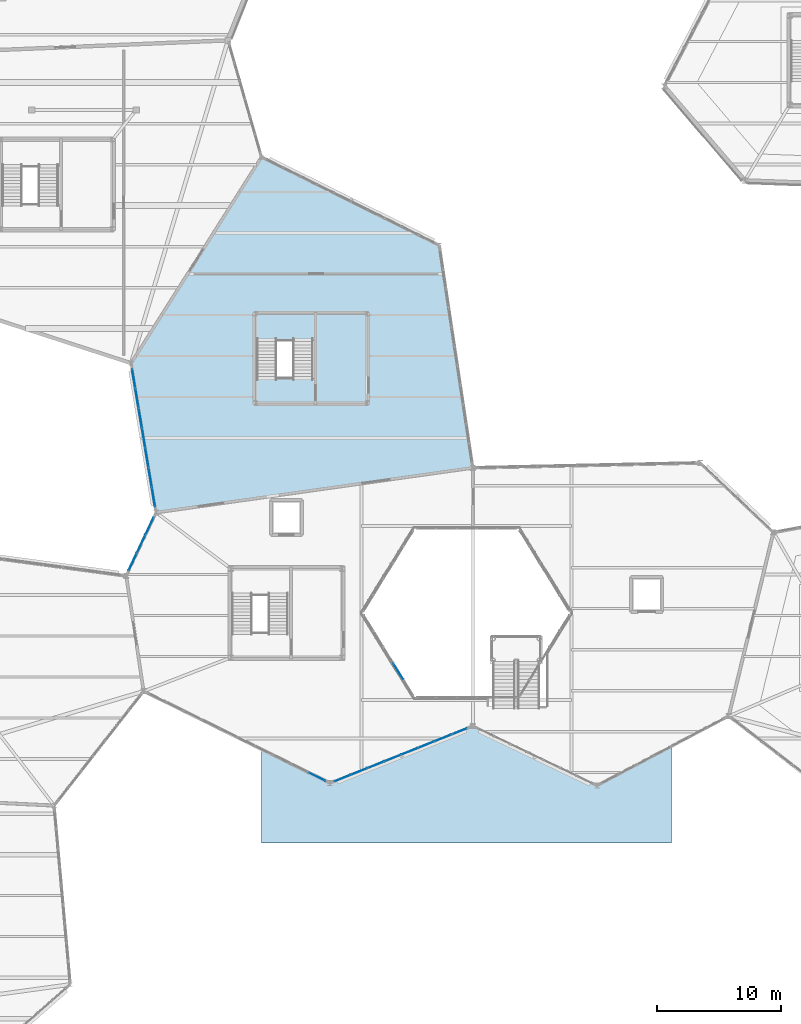
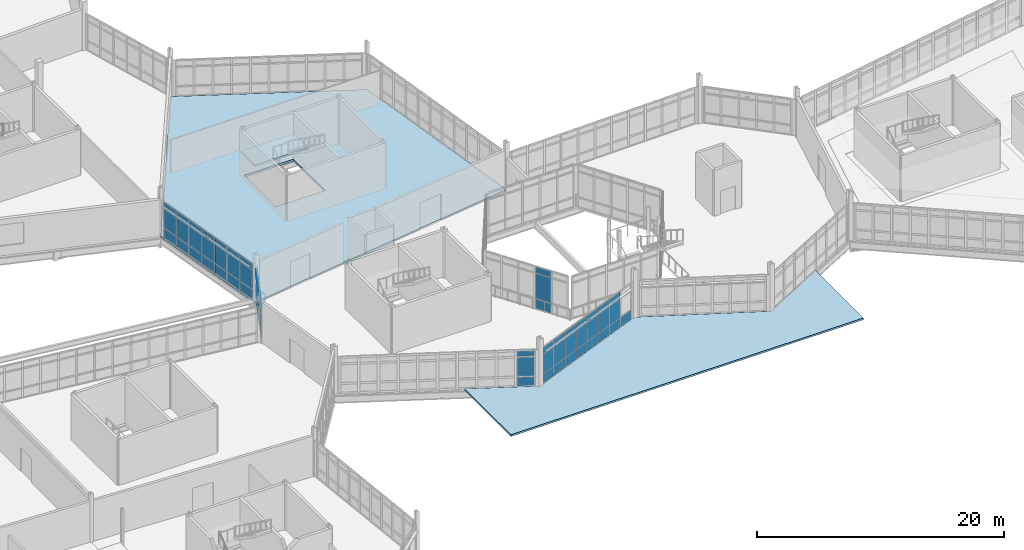
# One storey, part 85 of 134: 58 plates, 3 slabs, 6 elements without a shape of their own.
"""IFC4 building model written with IfcOpenShell, lengths in metres."""

from ifc_helpers import new_model, si_unit, direction, frame, origin, origin_2d, place, context, subcontext, project, spatial, polyline, rectangle, outline, extrude, material, layer, layer_set, type_object, element, aggregate, save


model = new_model("IFC4")

# Units and contexts
model_context = context("Model", 3, precision=1e-05, world=origin(), true_north=direction((0.0, 1.0)))
body_context = subcontext(model_context, "Body", "Model", "MODEL_VIEW")
ifc_project = project(units=[si_unit("LENGTHUNIT", "METRE"), si_unit("AREAUNIT", "SQUARE_METRE"), si_unit("VOLUMEUNIT", "CUBIC_METRE"), si_unit("PLANEANGLEUNIT", "RADIAN"), si_unit("MASSUNIT", "GRAM", prefix="KILO")], contexts=[model_context])

# Site, building, storey
site_placement = place(None, origin())
site = spatial("IfcSite", under=ifc_project, at=site_placement, CompositionType="ELEMENT")
building_placement = place(site_placement, origin())
building = spatial("IfcBuilding", under=site, at=building_placement, Name="Tameran Prism Museum", CompositionType="ELEMENT")
storey_placement = place(building_placement, frame((0.0, 0.0, 5.39990234375)))
storey = spatial("IfcBuildingStorey", under=building, at=storey_placement, Name="L01", CompositionType="ELEMENT", Elevation=5.39990234375)

# Curtain wall, plates
ifc_material_1 = material(Name="Anodised Aluminium 6063-T6 and Cyclone Solar Glass", Category="aluminium")
curtain_wall_type_1 = type_object("IfcCurtainWallType", Name="CW-ATR-769x424", PredefinedType="USERDEFINED", material=ifc_material_1)
curtain_wall_1_placement = place(storey_placement, origin())
curtain_wall_1 = element("IfcCurtainWall", 1, at=curtain_wall_1_placement, inside=storey, type_object=curtain_wall_type_1, Name="Unitised Curtain Wall CW-001", ObjectType="UNITISED CURTAIN WALL", PredefinedType="USERDEFINED")
ifc_material_2 = material(Name="Low-E Laminated Solar Glass", Category="glass")
ifc_layer_1 = layer(ifc_material_2, 0.028076171875)
ifc_layer_set_1 = layer_set([ifc_layer_1])
plate_type_1 = type_object("IfcPlateType", Name="CW-PNL-G28", PredefinedType="CURTAIN_PANEL", material=ifc_layer_set_1)
plate_1_placement = place(storey_placement, frame((71.50830078125, 31.791259765625, 0.06494140625), z_axis=(0.0, 0.0, 1.0), x_axis=(0.525503952357, -0.850791158897, 0.0)))
plate_1 = element("IfcPlate", 2, at=plate_1_placement, type_object=plate_type_1, Name="CW-001 panel 4.1", PredefinedType="CURTAIN_PANEL", context=body_context, shape_type="SweptSolid", body=[
    extrude(rectangle(XDim=1.473388671875, YDim=0.028076171875, at=origin_2d()), origin(), (0.0, 0.0, 1.0), 0.902587890625),
])
plate_2_placement = place(storey_placement, frame((71.50830078125, 31.791259765625, 1.032470703125), z_axis=(0.0, 0.0, 1.0), x_axis=(0.525503952357, -0.850791158897, 0.0)))
plate_2 = element("IfcPlate", 3, at=plate_2_placement, type_object=plate_type_1, Name="CW-001 panel 4.2", PredefinedType="CURTAIN_PANEL", context=body_context, shape_type="SweptSolid", body=[
    extrude(rectangle(XDim=1.473388671875, YDim=0.028076171875, at=origin_2d()), origin(), (0.0, 0.0, 1.0), 2.4951171875),
])
plate_3_placement = place(storey_placement, frame((71.50830078125, 31.791259765625, 3.592529296875), z_axis=(0.0, 0.0, 1.0), x_axis=(0.525503952357, -0.850791158897, 0.0)))
plate_3 = element("IfcPlate", 4, at=plate_3_placement, type_object=plate_type_1, Name="CW-001 panel 4.3", PredefinedType="CURTAIN_PANEL", context=body_context, shape_type="SweptSolid", body=[
    extrude(rectangle(XDim=1.473388671875, YDim=0.028076171875, at=origin_2d()), origin(), (0.0, 0.0, 1.0), 0.58251953125),
])
aggregate(curtain_wall_1, [plate_1, plate_2, plate_3])

ifc_material_3 = material(Name="Anodised Aluminium 6063-T6 and Cyclone Solar Glass", Category="aluminium")
curtain_wall_type_2 = type_object("IfcCurtainWallType", Name="CW-FAC-1163x362", PredefinedType="USERDEFINED", material=ifc_material_3)
curtain_wall_2_placement = place(storey_placement, origin())
curtain_wall_2 = element("IfcCurtainWall", 5, at=curtain_wall_2_placement, inside=storey, type_object=curtain_wall_type_2, Name="Unitised Curtain Wall CW-063", ObjectType="UNITISED CURTAIN WALL", PredefinedType="USERDEFINED")
plate_4_placement = place(storey_placement, frame((76.42919921875, 26.97216796875, 0.06494140625), z_axis=(0.0, 0.0, 1.0), x_axis=(-0.928464826032, -0.371420337114, 0.0)))
plate_4 = element("IfcPlate", 6, at=plate_4_placement, type_object=plate_type_1, Name="CW-063 panel 1.1", PredefinedType="CURTAIN_PANEL", context=body_context, shape_type="SweptSolid", body=[
    extrude(rectangle(XDim=1.355712890625, YDim=0.028076171875, at=origin_2d()), origin(), (0.0, 0.0, 1.0), 0.902587890625),
])
plate_5_placement = place(storey_placement, frame((75.09521484375, 26.4384765625, 0.06494140625), z_axis=(0.0, 0.0, 1.0), x_axis=(-0.928464826032, -0.371420337114, 0.0)))
plate_5 = element("IfcPlate", 7, at=plate_5_placement, type_object=plate_type_1, Name="CW-063 panel 2.1", PredefinedType="CURTAIN_PANEL", context=body_context, shape_type="SweptSolid", body=[
    extrude(rectangle(XDim=1.38818359375, YDim=0.028076171875, at=origin_2d()), origin(), (0.0, 0.0, 1.0), 0.902587890625),
])
plate_6_placement = place(storey_placement, frame((75.09521484375, 26.4384765625, 1.03271484375), z_axis=(0.0, 0.0, 1.0), x_axis=(-0.928464826032, -0.371420337114, 0.0)))
plate_6 = element("IfcPlate", 8, at=plate_6_placement, type_object=plate_type_1, Name="CW-063 panel 2.2", PredefinedType="CURTAIN_PANEL", context=body_context, shape_type="SweptSolid", body=[
    extrude(rectangle(XDim=1.38818359375, YDim=0.028076171875, at=origin_2d()), origin(), (0.0, 0.0, 1.0), 1.875),
])
plate_7_placement = place(storey_placement, frame((75.09521484375, 26.4384765625, 2.97265625), z_axis=(0.0, 0.0, 1.0), x_axis=(-0.928464826032, -0.371420337114, 0.0)))
plate_7 = element("IfcPlate", 9, at=plate_7_placement, type_object=plate_type_1, Name="CW-063 panel 2.3", PredefinedType="CURTAIN_PANEL", context=body_context, shape_type="SweptSolid", body=[
    extrude(rectangle(XDim=1.38818359375, YDim=0.028076171875, at=origin_2d()), origin(), (0.0, 0.0, 1.0), 0.58251953125),
])
plate_8_placement = place(storey_placement, frame((73.745849609375, 25.898681640625, 0.06494140625), z_axis=(0.0, 0.0, 1.0), x_axis=(-0.928464826032, -0.371420337114, 0.0)))
plate_8 = element("IfcPlate", 10, at=plate_8_placement, type_object=plate_type_1, Name="CW-063 panel 3.1", PredefinedType="CURTAIN_PANEL", context=body_context, shape_type="SweptSolid", body=[
    extrude(rectangle(XDim=1.38818359375, YDim=0.028076171875, at=origin_2d()), origin(), (0.0, 0.0, 1.0), 0.902587890625),
])
plate_9_placement = place(storey_placement, frame((73.745849609375, 25.898681640625, 1.03271484375), z_axis=(0.0, 0.0, 1.0), x_axis=(-0.928464826032, -0.371420337114, 0.0)))
plate_9 = element("IfcPlate", 11, at=plate_9_placement, type_object=plate_type_1, Name="CW-063 panel 3.2", PredefinedType="CURTAIN_PANEL", context=body_context, shape_type="SweptSolid", body=[
    extrude(rectangle(XDim=1.38818359375, YDim=0.028076171875, at=origin_2d()), origin(), (0.0, 0.0, 1.0), 1.875),
])
plate_10_placement = place(storey_placement, frame((73.745849609375, 25.898681640625, 2.97265625), z_axis=(0.0, 0.0, 1.0), x_axis=(-0.928464826032, -0.371420337114, 0.0)))
plate_10 = element("IfcPlate", 12, at=plate_10_placement, type_object=plate_type_1, Name="CW-063 panel 3.3", PredefinedType="CURTAIN_PANEL", context=body_context, shape_type="SweptSolid", body=[
    extrude(rectangle(XDim=1.38818359375, YDim=0.028076171875, at=origin_2d()), origin(), (0.0, 0.0, 1.0), 0.58251953125),
])
plate_11_placement = place(storey_placement, frame((72.396728515625, 25.35888671875, 0.06494140625), z_axis=(0.0, 0.0, 1.0), x_axis=(-0.928464826032, -0.371420337114, 0.0)))
plate_11 = element("IfcPlate", 13, at=plate_11_placement, type_object=plate_type_1, Name="CW-063 panel 4.1", PredefinedType="CURTAIN_PANEL", context=body_context, shape_type="SweptSolid", body=[
    extrude(rectangle(XDim=1.38818359375, YDim=0.028076171875, at=origin_2d()), origin(), (0.0, 0.0, 1.0), 0.902587890625),
])
plate_12_placement = place(storey_placement, frame((72.396728515625, 25.35888671875, 1.03271484375), z_axis=(0.0, 0.0, 1.0), x_axis=(-0.928464826032, -0.371420337114, 0.0)))
plate_12 = element("IfcPlate", 14, at=plate_12_placement, type_object=plate_type_1, Name="CW-063 panel 4.2", PredefinedType="CURTAIN_PANEL", context=body_context, shape_type="SweptSolid", body=[
    extrude(rectangle(XDim=1.38818359375, YDim=0.028076171875, at=origin_2d()), origin(), (0.0, 0.0, 1.0), 1.875),
])
plate_13_placement = place(storey_placement, frame((72.396728515625, 25.35888671875, 2.97265625), z_axis=(0.0, 0.0, 1.0), x_axis=(-0.928464826032, -0.371420337114, 0.0)))
plate_13 = element("IfcPlate", 15, at=plate_13_placement, type_object=plate_type_1, Name="CW-063 panel 4.3", PredefinedType="CURTAIN_PANEL", context=body_context, shape_type="SweptSolid", body=[
    extrude(rectangle(XDim=1.38818359375, YDim=0.028076171875, at=origin_2d()), origin(), (0.0, 0.0, 1.0), 0.58251953125),
])
plate_14_placement = place(storey_placement, frame((71.04736328125, 24.819091796875, 0.06494140625), z_axis=(0.0, 0.0, 1.0), x_axis=(-0.928464826032, -0.371420337114, 0.0)))
plate_14 = element("IfcPlate", 16, at=plate_14_placement, type_object=plate_type_1, Name="CW-063 panel 5.1", PredefinedType="CURTAIN_PANEL", context=body_context, shape_type="SweptSolid", body=[
    extrude(rectangle(XDim=1.38818359375, YDim=0.028076171875, at=origin_2d()), origin(), (0.0, 0.0, 1.0), 0.902587890625),
])
plate_15_placement = place(storey_placement, frame((71.04736328125, 24.819091796875, 1.03271484375), z_axis=(0.0, 0.0, 1.0), x_axis=(-0.928464826032, -0.371420337114, 0.0)))
plate_15 = element("IfcPlate", 17, at=plate_15_placement, type_object=plate_type_1, Name="CW-063 panel 5.2", PredefinedType="CURTAIN_PANEL", context=body_context, shape_type="SweptSolid", body=[
    extrude(rectangle(XDim=1.38818359375, YDim=0.028076171875, at=origin_2d()), origin(), (0.0, 0.0, 1.0), 1.875),
])
plate_16_placement = place(storey_placement, frame((71.04736328125, 24.819091796875, 2.97265625), z_axis=(0.0, 0.0, 1.0), x_axis=(-0.928464826032, -0.371420337114, 0.0)))
plate_16 = element("IfcPlate", 18, at=plate_16_placement, type_object=plate_type_1, Name="CW-063 panel 5.3", PredefinedType="CURTAIN_PANEL", context=body_context, shape_type="SweptSolid", body=[
    extrude(rectangle(XDim=1.38818359375, YDim=0.028076171875, at=origin_2d()), origin(), (0.0, 0.0, 1.0), 0.58251953125),
])
plate_17_placement = place(storey_placement, frame((69.6982421875, 24.279296875, 0.06494140625), z_axis=(0.0, 0.0, 1.0), x_axis=(-0.928464826032, -0.371420337114, 0.0)))
plate_17 = element("IfcPlate", 19, at=plate_17_placement, type_object=plate_type_1, Name="CW-063 panel 6.1", PredefinedType="CURTAIN_PANEL", context=body_context, shape_type="SweptSolid", body=[
    extrude(rectangle(XDim=1.38818359375, YDim=0.028076171875, at=origin_2d()), origin(), (0.0, 0.0, 1.0), 0.902587890625),
])
plate_18_placement = place(storey_placement, frame((69.6982421875, 24.279296875, 1.03271484375), z_axis=(0.0, 0.0, 1.0), x_axis=(-0.928464826032, -0.371420337114, 0.0)))
plate_18 = element("IfcPlate", 20, at=plate_18_placement, type_object=plate_type_1, Name="CW-063 panel 6.2", PredefinedType="CURTAIN_PANEL", context=body_context, shape_type="SweptSolid", body=[
    extrude(rectangle(XDim=1.38818359375, YDim=0.028076171875, at=origin_2d()), origin(), (0.0, 0.0, 1.0), 1.875),
])
plate_19_placement = place(storey_placement, frame((69.6982421875, 24.279296875, 2.97265625), z_axis=(0.0, 0.0, 1.0), x_axis=(-0.928464826032, -0.371420337114, 0.0)))
plate_19 = element("IfcPlate", 21, at=plate_19_placement, type_object=plate_type_1, Name="CW-063 panel 6.3", PredefinedType="CURTAIN_PANEL", context=body_context, shape_type="SweptSolid", body=[
    extrude(rectangle(XDim=1.38818359375, YDim=0.028076171875, at=origin_2d()), origin(), (0.0, 0.0, 1.0), 0.58251953125),
])
plate_20_placement = place(storey_placement, frame((68.348876953125, 23.73974609375, 0.06494140625), z_axis=(0.0, 0.0, 1.0), x_axis=(-0.928464826032, -0.371420337114, 0.0)))
plate_20 = element("IfcPlate", 22, at=plate_20_placement, type_object=plate_type_1, Name="CW-063 panel 7.1", PredefinedType="CURTAIN_PANEL", context=body_context, shape_type="SweptSolid", body=[
    extrude(rectangle(XDim=1.38818359375, YDim=0.028076171875, at=origin_2d()), origin(), (0.0, 0.0, 1.0), 0.902587890625),
])
plate_21_placement = place(storey_placement, frame((68.348876953125, 23.73974609375, 1.03271484375), z_axis=(0.0, 0.0, 1.0), x_axis=(-0.928464826032, -0.371420337114, 0.0)))
plate_21 = element("IfcPlate", 23, at=plate_21_placement, type_object=plate_type_1, Name="CW-063 panel 7.2", PredefinedType="CURTAIN_PANEL", context=body_context, shape_type="SweptSolid", body=[
    extrude(rectangle(XDim=1.38818359375, YDim=0.028076171875, at=origin_2d()), origin(), (0.0, 0.0, 1.0), 1.875),
])
plate_22_placement = place(storey_placement, frame((68.348876953125, 23.73974609375, 2.97265625), z_axis=(0.0, 0.0, 1.0), x_axis=(-0.928464826032, -0.371420337114, 0.0)))
plate_22 = element("IfcPlate", 24, at=plate_22_placement, type_object=plate_type_1, Name="CW-063 panel 7.3", PredefinedType="CURTAIN_PANEL", context=body_context, shape_type="SweptSolid", body=[
    extrude(rectangle(XDim=1.38818359375, YDim=0.028076171875, at=origin_2d()), origin(), (0.0, 0.0, 1.0), 0.58251953125),
])
plate_23_placement = place(storey_placement, frame((67.0146484375, 23.205810546875, 0.06494140625), z_axis=(0.0, 0.0, 1.0), x_axis=(-0.928464826032, -0.371420337114, 0.0)))
plate_23 = element("IfcPlate", 25, at=plate_23_placement, type_object=plate_type_1, Name="CW-063 panel 8.1", PredefinedType="CURTAIN_PANEL", context=body_context, shape_type="SweptSolid", body=[
    extrude(rectangle(XDim=1.355712890625, YDim=0.028076171875, at=origin_2d()), origin(), (0.0, 0.0, 1.0), 0.902587890625),
])
plate_24_placement = place(storey_placement, frame((67.0146484375, 23.205810546875, 1.03271484375), z_axis=(0.0, 0.0, 1.0), x_axis=(-0.928464826032, -0.371420337114, 0.0)))
plate_24 = element("IfcPlate", 26, at=plate_24_placement, type_object=plate_type_1, Name="CW-063 panel 8.2", PredefinedType="CURTAIN_PANEL", context=body_context, shape_type="SweptSolid", body=[
    extrude(rectangle(XDim=1.355712890625, YDim=0.028076171875, at=origin_2d()), origin(), (0.0, 0.0, 1.0), 1.875),
])
plate_25_placement = place(storey_placement, frame((67.0146484375, 23.205810546875, 2.97265625), z_axis=(0.0, 0.0, 1.0), x_axis=(-0.928464826032, -0.371420337114, 0.0)))
plate_25 = element("IfcPlate", 27, at=plate_25_placement, type_object=plate_type_1, Name="CW-063 panel 8.3", PredefinedType="CURTAIN_PANEL", context=body_context, shape_type="SweptSolid", body=[
    extrude(rectangle(XDim=1.355712890625, YDim=0.028076171875, at=origin_2d()), origin(), (0.0, 0.0, 1.0), 0.58251953125),
])
aggregate(curtain_wall_2, [plate_4, plate_5, plate_6, plate_7, plate_8, plate_9, plate_10, plate_11, plate_12, plate_13, plate_14, plate_15, plate_16, plate_17, plate_18, plate_19, plate_20, plate_21, plate_22, plate_23, plate_24, plate_25])

ifc_material_4 = material(Name="Anodised Aluminium 6063-T6 and Cyclone Solar Glass", Category="aluminium")
curtain_wall_type_3 = type_object("IfcCurtainWallType", Name="CW-FAC-1597x362", PredefinedType="USERDEFINED", material=ifc_material_4)
curtain_wall_3_placement = place(storey_placement, origin())
curtain_wall_3 = element("IfcCurtainWall", 28, at=curtain_wall_3_placement, inside=storey, type_object=curtain_wall_type_3, Name="Unitised Curtain Wall CW-062", ObjectType="UNITISED CURTAIN WALL", PredefinedType="USERDEFINED")
ifc_material_5 = material(Name="Cyclone Laminated Solar Glass", Category="glass")
ifc_layer_2 = layer(ifc_material_5, 0.031982421875)
ifc_layer_set_2 = layer_set([ifc_layer_2])
plate_type_2 = type_object("IfcPlateType", Name="CW-PNL-G32", PredefinedType="CURTAIN_PANEL", material=ifc_layer_set_2)
plate_26_placement = place(storey_placement, frame((64.9521484375, 23.31689453125, 0.080078125), z_axis=(0.0, 0.0, 1.0), x_axis=(-0.896819470069, 0.442396697666, 0.0)))
plate_26 = element("IfcPlate", 29, at=plate_26_placement, type_object=plate_type_2, Name="CW-062 panel 1.1", PredefinedType="CURTAIN_PANEL", context=body_context, shape_type="SweptSolid", body=[
    extrude(rectangle(XDim=1.4765625, YDim=0.031982421875, at=origin_2d()), origin(), (0.0, 0.0, 1.0), 0.8798828125),
])
plate_27_placement = place(storey_placement, frame((64.9521484375, 23.31689453125, 1.0400390625), z_axis=(0.0, 0.0, 1.0), x_axis=(-0.896819470069, 0.442396697666, 0.0)))
plate_27 = element("IfcPlate", 30, at=plate_27_placement, type_object=plate_type_2, Name="CW-062 panel 1.2", PredefinedType="CURTAIN_PANEL", context=body_context, shape_type="SweptSolid", body=[
    extrude(rectangle(XDim=1.4765625, YDim=0.031982421875, at=origin_2d()), origin(), (0.0, 0.0, 1.0), 1.860107421875),
])
plate_28_placement = place(storey_placement, frame((64.9521484375, 23.31689453125, 2.97998046875), z_axis=(0.0, 0.0, 1.0), x_axis=(-0.896819470069, 0.442396697666, 0.0)))
plate_28 = element("IfcPlate", 31, at=plate_28_placement, type_object=plate_type_2, Name="CW-062 panel 1.3", PredefinedType="CURTAIN_PANEL", context=body_context, shape_type="SweptSolid", body=[
    extrude(rectangle(XDim=1.4765625, YDim=0.031982421875, at=origin_2d()), origin(), (0.0, 0.0, 1.0), 0.56005859375),
])
aggregate(curtain_wall_3, [plate_26, plate_27, plate_28])

ifc_material_6 = material(Name="Anodised Aluminium 6063-T6 and Cyclone Solar Glass", Category="aluminium")
curtain_wall_type_4 = type_object("IfcCurtainWallType", Name="CW-FAC-482x362", PredefinedType="USERDEFINED", material=ifc_material_6)
curtain_wall_4_placement = place(storey_placement, origin())
curtain_wall_4 = element("IfcCurtainWall", 32, at=curtain_wall_4_placement, inside=storey, type_object=curtain_wall_type_4, Name="Unitised Curtain Wall CW-064", ObjectType="UNITISED CURTAIN WALL", PredefinedType="USERDEFINED")
plate_29_placement = place(storey_placement, frame((50.1240234375, 40.61328125, 0.070068359375), z_axis=(0.0, 0.0, 1.0), x_axis=(0.42565703763, 0.904884570714, 0.0)))
plate_29 = element("IfcPlate", 33, at=plate_29_placement, type_object=plate_type_2, Name="CW-064 panel 1.1", PredefinedType="CURTAIN_PANEL", context=body_context, shape_type="SweptSolid", body=[
    extrude(rectangle(XDim=1.500244140625, YDim=0.031982421875, at=origin_2d()), origin(), (0.0, 0.0, 1.0), 0.89501953125),
])
plate_30_placement = place(storey_placement, frame((50.1240234375, 40.61328125, 1.03515625), z_axis=(0.0, 0.0, 1.0), x_axis=(0.42565703763, 0.904884570714, 0.0)))
plate_30 = element("IfcPlate", 34, at=plate_30_placement, type_object=plate_type_2, Name="CW-064 panel 1.2", PredefinedType="CURTAIN_PANEL", context=body_context, shape_type="SweptSolid", body=[
    extrude(rectangle(XDim=1.500244140625, YDim=0.031982421875, at=origin_2d()), origin(), (0.0, 0.0, 1.0), 1.8701171875),
])
plate_31_placement = place(storey_placement, frame((50.1240234375, 40.61328125, 2.97509765625), z_axis=(0.0, 0.0, 1.0), x_axis=(0.42565703763, 0.904884570714, 0.0)))
plate_31 = element("IfcPlate", 35, at=plate_31_placement, type_object=plate_type_2, Name="CW-064 panel 1.3", PredefinedType="CURTAIN_PANEL", context=body_context, shape_type="SweptSolid", body=[
    extrude(rectangle(XDim=1.500244140625, YDim=0.031982421875, at=origin_2d()), origin(), (0.0, 0.0, 1.0), 0.574951171875),
])
plate_32_placement = place(storey_placement, frame((50.800048828125, 42.050048828125, 0.070068359375), z_axis=(0.0, 0.0, 1.0), x_axis=(0.42565703763, 0.904884570714, 0.0)))
plate_32 = element("IfcPlate", 36, at=plate_32_placement, type_object=plate_type_2, Name="CW-064 panel 2.1", PredefinedType="CURTAIN_PANEL", context=body_context, shape_type="SweptSolid", body=[
    extrude(rectangle(XDim=1.535400390625, YDim=0.031982421875, at=origin_2d()), origin(), (0.0, 0.0, 1.0), 0.89501953125),
])
plate_33_placement = place(storey_placement, frame((50.800048828125, 42.050048828125, 1.03515625), z_axis=(0.0, 0.0, 1.0), x_axis=(0.42565703763, 0.904884570714, 0.0)))
plate_33 = element("IfcPlate", 37, at=plate_33_placement, type_object=plate_type_2, Name="CW-064 panel 2.2", PredefinedType="CURTAIN_PANEL", context=body_context, shape_type="SweptSolid", body=[
    extrude(rectangle(XDim=1.535400390625, YDim=0.031982421875, at=origin_2d()), origin(), (0.0, 0.0, 1.0), 1.8701171875),
])
plate_34_placement = place(storey_placement, frame((50.800048828125, 42.050048828125, 2.97509765625), z_axis=(0.0, 0.0, 1.0), x_axis=(0.42565703763, 0.904884570714, 0.0)))
plate_34 = element("IfcPlate", 38, at=plate_34_placement, type_object=plate_type_2, Name="CW-064 panel 2.3", PredefinedType="CURTAIN_PANEL", context=body_context, shape_type="SweptSolid", body=[
    extrude(rectangle(XDim=1.535400390625, YDim=0.031982421875, at=origin_2d()), origin(), (0.0, 0.0, 1.0), 0.574951171875),
])
plate_35_placement = place(storey_placement, frame((51.475830078125, 43.48681640625, 0.070068359375), z_axis=(0.0, 0.0, 1.0), x_axis=(0.42565703763, 0.904884570714, 0.0)))
plate_35 = element("IfcPlate", 39, at=plate_35_placement, type_object=plate_type_2, Name="CW-064 panel 3.1", PredefinedType="CURTAIN_PANEL", context=body_context, shape_type="SweptSolid", body=[
    extrude(rectangle(XDim=1.500244140625, YDim=0.031982421875, at=origin_2d()), origin(), (0.0, 0.0, 1.0), 0.89501953125),
])
plate_36_placement = place(storey_placement, frame((51.475830078125, 43.48681640625, 1.03515625), z_axis=(0.0, 0.0, 1.0), x_axis=(0.42565703763, 0.904884570714, 0.0)))
plate_36 = element("IfcPlate", 40, at=plate_36_placement, type_object=plate_type_2, Name="CW-064 panel 3.2", PredefinedType="CURTAIN_PANEL", context=body_context, shape_type="SweptSolid", body=[
    extrude(rectangle(XDim=1.500244140625, YDim=0.031982421875, at=origin_2d()), origin(), (0.0, 0.0, 1.0), 1.8701171875),
])
plate_37_placement = place(storey_placement, frame((51.475830078125, 43.48681640625, 2.97509765625), z_axis=(0.0, 0.0, 1.0), x_axis=(0.42565703763, 0.904884570714, 0.0)))
plate_37 = element("IfcPlate", 41, at=plate_37_placement, type_object=plate_type_2, Name="CW-064 panel 3.3", PredefinedType="CURTAIN_PANEL", context=body_context, shape_type="SweptSolid", body=[
    extrude(rectangle(XDim=1.500244140625, YDim=0.031982421875, at=origin_2d()), origin(), (0.0, 0.0, 1.0), 0.574951171875),
])
aggregate(curtain_wall_4, [plate_29, plate_30, plate_31, plate_32, plate_33, plate_34, plate_35, plate_36, plate_37])

ifc_material_7 = material(Name="Anodised Aluminium 6063-T6 and Cyclone Solar Glass", Category="aluminium")
curtain_wall_type_5 = type_object("IfcCurtainWallType", Name="CW-FAC-1135x362", PredefinedType="USERDEFINED", material=ifc_material_7)
curtain_wall_5_placement = place(storey_placement, origin())
curtain_wall_5 = element("IfcCurtainWall", 42, at=curtain_wall_5_placement, inside=storey, type_object=curtain_wall_type_5, Name="Unitised Curtain Wall CW-069", ObjectType="UNITISED CURTAIN WALL", PredefinedType="USERDEFINED")
plate_38_placement = place(storey_placement, frame((51.7958984375, 45.822021484375, 0.0751953125), z_axis=(0.0, 0.0, 1.0), x_axis=(-0.164284648199, 0.986412973539, 0.0)))
plate_38 = element("IfcPlate", 43, at=plate_38_placement, type_object=plate_type_2, Name="CW-069 panel 1.1", PredefinedType="CURTAIN_PANEL", context=body_context, shape_type="SweptSolid", body=[
    extrude(rectangle(XDim=1.50830078125, YDim=0.031982421875, at=origin_2d()), origin(), (0.0, 0.0, 1.0), 0.887451171875),
])
plate_39_placement = place(storey_placement, frame((51.7958984375, 45.822021484375, 1.03759765625), z_axis=(0.0, 0.0, 1.0), x_axis=(-0.164284648199, 0.986412973539, 0.0)))
plate_39 = element("IfcPlate", 44, at=plate_39_placement, type_object=plate_type_2, Name="CW-069 panel 1.2", PredefinedType="CURTAIN_PANEL", context=body_context, shape_type="SweptSolid", body=[
    extrude(rectangle(XDim=1.50830078125, YDim=0.031982421875, at=origin_2d()), origin(), (0.0, 0.0, 1.0), 1.864990234375),
])
plate_40_placement = place(storey_placement, frame((51.7958984375, 45.822021484375, 2.9775390625), z_axis=(0.0, 0.0, 1.0), x_axis=(-0.164284648199, 0.986412973539, 0.0)))
plate_40 = element("IfcPlate", 45, at=plate_40_placement, type_object=plate_type_2, Name="CW-069 panel 1.3", PredefinedType="CURTAIN_PANEL", context=body_context, shape_type="SweptSolid", body=[
    extrude(rectangle(XDim=1.50830078125, YDim=0.031982421875, at=origin_2d()), origin(), (0.0, 0.0, 1.0), 0.5673828125),
])
plate_41_placement = place(storey_placement, frame((51.532470703125, 47.40234375, 0.0751953125), z_axis=(0.0, 0.0, 1.0), x_axis=(-0.164284648199, 0.986412973539, 0.0)))
plate_41 = element("IfcPlate", 46, at=plate_41_placement, type_object=plate_type_2, Name="CW-069 panel 2.1", PredefinedType="CURTAIN_PANEL", context=body_context, shape_type="SweptSolid", body=[
    extrude(rectangle(XDim=1.5458984375, YDim=0.031982421875, at=origin_2d()), origin(), (0.0, 0.0, 1.0), 0.887451171875),
])
plate_42_placement = place(storey_placement, frame((51.532470703125, 47.40234375, 1.03759765625), z_axis=(0.0, 0.0, 1.0), x_axis=(-0.164284648199, 0.986412973539, 0.0)))
plate_42 = element("IfcPlate", 47, at=plate_42_placement, type_object=plate_type_2, Name="CW-069 panel 2.2", PredefinedType="CURTAIN_PANEL", context=body_context, shape_type="SweptSolid", body=[
    extrude(rectangle(XDim=1.5458984375, YDim=0.031982421875, at=origin_2d()), origin(), (0.0, 0.0, 1.0), 1.864990234375),
])
plate_43_placement = place(storey_placement, frame((51.532470703125, 47.40234375, 2.9775390625), z_axis=(0.0, 0.0, 1.0), x_axis=(-0.164284648199, 0.986412973539, 0.0)))
plate_43 = element("IfcPlate", 48, at=plate_43_placement, type_object=plate_type_2, Name="CW-069 panel 2.3", PredefinedType="CURTAIN_PANEL", context=body_context, shape_type="SweptSolid", body=[
    extrude(rectangle(XDim=1.5458984375, YDim=0.031982421875, at=origin_2d()), origin(), (0.0, 0.0, 1.0), 0.5673828125),
])
plate_44_placement = place(storey_placement, frame((51.266357421875, 49.001220703125, 0.0751953125), z_axis=(0.0, 0.0, 1.0), x_axis=(-0.164284648199, 0.986412973539, 0.0)))
plate_44 = element("IfcPlate", 49, at=plate_44_placement, type_object=plate_type_2, Name="CW-069 panel 3.1", PredefinedType="CURTAIN_PANEL", context=body_context, shape_type="SweptSolid", body=[
    extrude(rectangle(XDim=1.5458984375, YDim=0.031982421875, at=origin_2d()), origin(), (0.0, 0.0, 1.0), 0.887451171875),
])
plate_45_placement = place(storey_placement, frame((51.266357421875, 49.001220703125, 1.03759765625), z_axis=(0.0, 0.0, 1.0), x_axis=(-0.164284648199, 0.986412973539, 0.0)))
plate_45 = element("IfcPlate", 50, at=plate_45_placement, type_object=plate_type_2, Name="CW-069 panel 3.2", PredefinedType="CURTAIN_PANEL", context=body_context, shape_type="SweptSolid", body=[
    extrude(rectangle(XDim=1.5458984375, YDim=0.031982421875, at=origin_2d()), origin(), (0.0, 0.0, 1.0), 1.864990234375),
])
plate_46_placement = place(storey_placement, frame((51.266357421875, 49.001220703125, 2.9775390625), z_axis=(0.0, 0.0, 1.0), x_axis=(-0.164284648199, 0.986412973539, 0.0)))
plate_46 = element("IfcPlate", 51, at=plate_46_placement, type_object=plate_type_2, Name="CW-069 panel 3.3", PredefinedType="CURTAIN_PANEL", context=body_context, shape_type="SweptSolid", body=[
    extrude(rectangle(XDim=1.5458984375, YDim=0.031982421875, at=origin_2d()), origin(), (0.0, 0.0, 1.0), 0.5673828125),
])
plate_47_placement = place(storey_placement, frame((51.0, 50.60009765625, 0.0751953125), z_axis=(0.0, 0.0, 1.0), x_axis=(-0.164284648199, 0.986412973539, 0.0)))
plate_47 = element("IfcPlate", 52, at=plate_47_placement, type_object=plate_type_2, Name="CW-069 panel 4.1", PredefinedType="CURTAIN_PANEL", context=body_context, shape_type="SweptSolid", body=[
    extrude(rectangle(XDim=1.5458984375, YDim=0.031982421875, at=origin_2d()), origin(), (0.0, 0.0, 1.0), 0.887451171875),
])
plate_48_placement = place(storey_placement, frame((51.0, 50.60009765625, 1.03759765625), z_axis=(0.0, 0.0, 1.0), x_axis=(-0.164284648199, 0.986412973539, 0.0)))
plate_48 = element("IfcPlate", 53, at=plate_48_placement, type_object=plate_type_2, Name="CW-069 panel 4.2", PredefinedType="CURTAIN_PANEL", context=body_context, shape_type="SweptSolid", body=[
    extrude(rectangle(XDim=1.5458984375, YDim=0.031982421875, at=origin_2d()), origin(), (0.0, 0.0, 1.0), 1.864990234375),
])
plate_49_placement = place(storey_placement, frame((51.0, 50.60009765625, 2.9775390625), z_axis=(0.0, 0.0, 1.0), x_axis=(-0.164284648199, 0.986412973539, 0.0)))
plate_49 = element("IfcPlate", 54, at=plate_49_placement, type_object=plate_type_2, Name="CW-069 panel 4.3", PredefinedType="CURTAIN_PANEL", context=body_context, shape_type="SweptSolid", body=[
    extrude(rectangle(XDim=1.5458984375, YDim=0.031982421875, at=origin_2d()), origin(), (0.0, 0.0, 1.0), 0.5673828125),
])
plate_50_placement = place(storey_placement, frame((50.733642578125, 52.198974609375, 0.0751953125), z_axis=(0.0, 0.0, 1.0), x_axis=(-0.164284648199, 0.986412973539, 0.0)))
plate_50 = element("IfcPlate", 55, at=plate_50_placement, type_object=plate_type_2, Name="CW-069 panel 5.1", PredefinedType="CURTAIN_PANEL", context=body_context, shape_type="SweptSolid", body=[
    extrude(rectangle(XDim=1.5458984375, YDim=0.031982421875, at=origin_2d()), origin(), (0.0, 0.0, 1.0), 0.887451171875),
])
plate_51_placement = place(storey_placement, frame((50.733642578125, 52.198974609375, 1.03759765625), z_axis=(0.0, 0.0, 1.0), x_axis=(-0.164284648199, 0.986412973539, 0.0)))
plate_51 = element("IfcPlate", 56, at=plate_51_placement, type_object=plate_type_2, Name="CW-069 panel 5.2", PredefinedType="CURTAIN_PANEL", context=body_context, shape_type="SweptSolid", body=[
    extrude(rectangle(XDim=1.5458984375, YDim=0.031982421875, at=origin_2d()), origin(), (0.0, 0.0, 1.0), 1.864990234375),
])
plate_52_placement = place(storey_placement, frame((50.733642578125, 52.198974609375, 2.9775390625), z_axis=(0.0, 0.0, 1.0), x_axis=(-0.164284648199, 0.986412973539, 0.0)))
plate_52 = element("IfcPlate", 57, at=plate_52_placement, type_object=plate_type_2, Name="CW-069 panel 5.3", PredefinedType="CURTAIN_PANEL", context=body_context, shape_type="SweptSolid", body=[
    extrude(rectangle(XDim=1.5458984375, YDim=0.031982421875, at=origin_2d()), origin(), (0.0, 0.0, 1.0), 0.5673828125),
])
plate_53_placement = place(storey_placement, frame((50.467529296875, 53.797607421875, 0.0751953125), z_axis=(0.0, 0.0, 1.0), x_axis=(-0.164284648199, 0.986412973539, 0.0)))
plate_53 = element("IfcPlate", 58, at=plate_53_placement, type_object=plate_type_2, Name="CW-069 panel 6.1", PredefinedType="CURTAIN_PANEL", context=body_context, shape_type="SweptSolid", body=[
    extrude(rectangle(XDim=1.5458984375, YDim=0.031982421875, at=origin_2d()), origin(), (0.0, 0.0, 1.0), 0.887451171875),
])
plate_54_placement = place(storey_placement, frame((50.467529296875, 53.797607421875, 1.03759765625), z_axis=(0.0, 0.0, 1.0), x_axis=(-0.164284648199, 0.986412973539, 0.0)))
plate_54 = element("IfcPlate", 59, at=plate_54_placement, type_object=plate_type_2, Name="CW-069 panel 6.2", PredefinedType="CURTAIN_PANEL", context=body_context, shape_type="SweptSolid", body=[
    extrude(rectangle(XDim=1.5458984375, YDim=0.031982421875, at=origin_2d()), origin(), (0.0, 0.0, 1.0), 1.864990234375),
])
plate_55_placement = place(storey_placement, frame((50.467529296875, 53.797607421875, 2.9775390625), z_axis=(0.0, 0.0, 1.0), x_axis=(-0.164284648199, 0.986412973539, 0.0)))
plate_55 = element("IfcPlate", 60, at=plate_55_placement, type_object=plate_type_2, Name="CW-069 panel 6.3", PredefinedType="CURTAIN_PANEL", context=body_context, shape_type="SweptSolid", body=[
    extrude(rectangle(XDim=1.5458984375, YDim=0.031982421875, at=origin_2d()), origin(), (0.0, 0.0, 1.0), 0.5673828125),
])
plate_56_placement = place(storey_placement, frame((50.2041015625, 55.378173828125, 0.0751953125), z_axis=(0.0, 0.0, 1.0), x_axis=(-0.164284648199, 0.986412973539, 0.0)))
plate_56 = element("IfcPlate", 61, at=plate_56_placement, type_object=plate_type_2, Name="CW-069 panel 7.1", PredefinedType="CURTAIN_PANEL", context=body_context, shape_type="SweptSolid", body=[
    extrude(rectangle(XDim=1.50830078125, YDim=0.031982421875, at=origin_2d()), origin(), (0.0, 0.0, 1.0), 0.887451171875),
])
plate_57_placement = place(storey_placement, frame((50.2041015625, 55.378173828125, 1.03759765625), z_axis=(0.0, 0.0, 1.0), x_axis=(-0.164284648199, 0.986412973539, 0.0)))
plate_57 = element("IfcPlate", 62, at=plate_57_placement, type_object=plate_type_2, Name="CW-069 panel 7.2", PredefinedType="CURTAIN_PANEL", context=body_context, shape_type="SweptSolid", body=[
    extrude(rectangle(XDim=1.50830078125, YDim=0.031982421875, at=origin_2d()), origin(), (0.0, 0.0, 1.0), 1.864990234375),
])
plate_58_placement = place(storey_placement, frame((50.2041015625, 55.378173828125, 2.9775390625), z_axis=(0.0, 0.0, 1.0), x_axis=(-0.164284648199, 0.986412973539, 0.0)))
plate_58 = element("IfcPlate", 63, at=plate_58_placement, type_object=plate_type_2, Name="CW-069 panel 7.3", PredefinedType="CURTAIN_PANEL", context=body_context, shape_type="SweptSolid", body=[
    extrude(rectangle(XDim=1.50830078125, YDim=0.031982421875, at=origin_2d()), origin(), (0.0, 0.0, 1.0), 0.5673828125),
])
aggregate(curtain_wall_5, [plate_38, plate_39, plate_40, plate_41, plate_42, plate_43, plate_44, plate_45, plate_46, plate_47, plate_48, plate_49, plate_50, plate_51, plate_52, plate_53, plate_54, plate_55, plate_56, plate_57, plate_58])

# Slabs
ifc_material_8 = material(Name="Precast Concrete N40 (40 MPa)", Category="concrete")
ifc_layer_3 = layer(ifc_material_8, 0.175048828125)
ifc_layer_set_3 = layer_set([ifc_layer_3])
slab_type_1 = type_object("IfcSlabType", Name="SL-CAN-175", PredefinedType="ROOF", material=ifc_layer_set_3)
slab_1_placement = place(storey_placement, frame((0.0, 0.0, -0.1748046875)))
element("IfcSlab", 64, at=slab_1_placement, inside=storey, type_object=slab_type_1, Name="Boulevard Entrance Flat-Soffit Canopy 1", PredefinedType="ROOF", context=body_context, shape_type="SweptSolid", body=[
    extrude(outline(polyline([(93.5, 18.0), (60.5, 18.0), (60.5, 25.512939453125), (66.0, 22.800048828125), (77.5, 27.39990234375), (87.5, 22.60009765625), (93.5, 25.77001953125), (93.5, 18.0)])), origin(), (0.0, 0.0, 1.0), 0.1748046875),
])
ifc_material_9 = material(Name="Concrete N32 (32 MPa)", Category="concrete")
ifc_layer_4 = layer(ifc_material_9, 0.199951171875)
ifc_layer_set_4 = layer_set([ifc_layer_4])
slab_type_2 = type_object("IfcSlabType", Name="SL-FLR-200", PredefinedType="FLOOR", material=ifc_layer_set_4)
slab_2_placement = place(storey_placement, frame((0.0, 0.0, -0.199951171875)))
element("IfcSlab", 65, at=slab_2_placement, inside=storey, type_object=slab_type_2, Name="Floor Slab FS-P07-L01", PredefinedType="FLOOR", context=body_context, shape_type="SweptSolid", body=[
    extrude(outline(polyline([(60.5, 73.199951171875), (74.800048828125, 66.10009765625), (77.5, 48.199951171875), (52.0, 44.60009765625), (50.0, 56.60009765625), (60.5, 73.199951171875)]), holes=[polyline([(64.719970703125, 60.550048828125), (60.10009765625, 60.550048828125), (60.10009765625, 55.43994140625), (64.719970703125, 55.43994140625), (64.719970703125, 60.550048828125)])]), origin(), (0.0, 0.0, 1.0), 0.199951171875),
])

# Stair, slab
ifc_material_10 = material(Name="Concrete N40 (40 MPa)", Category="concrete")
stair_type = type_object("IfcStairType", Name="ST-CORE-48", PredefinedType="HALF_TURN_STAIR", material=ifc_material_10)
stair_placement = place(storey_placement, origin())
stair = element("IfcStair", 66, at=stair_placement, inside=storey, type_object=stair_type, Name="Fire-Isolated Stair ST-08-L01", PredefinedType="HALF_TURN_STAIR")
ifc_material_11 = material(Name="Concrete N40 (40 MPa)", Category="concrete")
ifc_layer_5 = layer(ifc_material_11, 0.18505859375)
ifc_layer_set_5 = layer_set([ifc_layer_5])
slab_type_3 = type_object("IfcSlabType", Name="SL-LND-185", PredefinedType="LANDING", material=ifc_layer_set_5)
slab_3_placement = place(storey_placement, frame((0.0, 0.0, 2.215087890625)))
slab_3 = element("IfcSlab", 67, at=slab_3_placement, type_object=slab_type_3, Name="ST-08-L01 landing 1", PredefinedType="LANDING", context=body_context, shape_type="SweptSolid", body=[
    extrude(outline(polyline([(59.8798828125, 58.4150390625), (64.8701171875, 58.4150390625), (64.8701171875, 60.719970703125), (59.8798828125, 60.719970703125), (59.8798828125, 58.4150390625)])), origin(), (0.0, 0.0, 1.0), 0.18505859375),
])
aggregate(stair, [slab_3])

save(model, "model.ifc")
